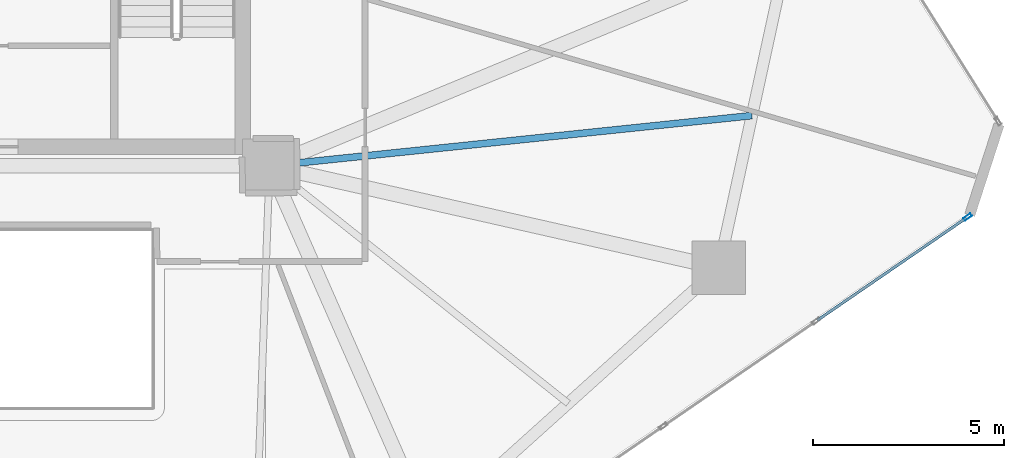
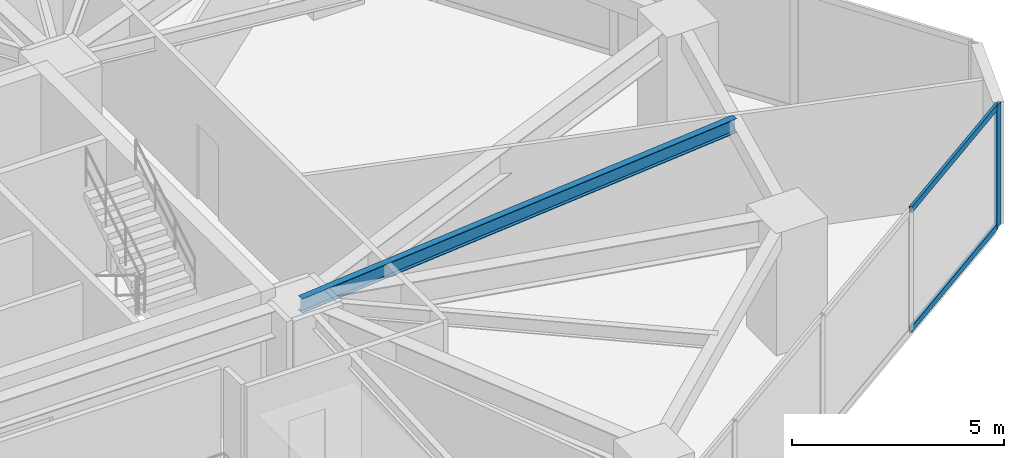
# One storey, part 9 of 21: 3 members, 1 beam, 1 element without a shape of its own.
"""IFC4 building model written with IfcOpenShell, lengths in metres."""

import ifcopenshell
import ifcopenshell.guid

model = None  # the IFC model being written
_history = None  # IfcOwnerHistory: only IFC2X3 demands one
_inside = {}  # id of a spatial element -> (the spatial element, [elements in it])
_under = {}  # id of a project, library or spatial element -> (it, [spatial elements below it])
_declared = {}  # id of a project -> (the project, [libraries it declares])
_typed = {}  # id of a type object -> (the type object, [elements of that type])
_made_of = {}  # id of a material, layer set ... -> (it, [elements and type objects made of it])


def new_model(schema):
    """Start an empty IFC model of exactly this schema.

    Asked for "IFC4X3", IfcOpenShell would pick the latest addendum, in which some entities
    have other attributes; the version numbers below select the first issue.
    IFC2X3 requires an IfcOwnerHistory on every rooted entity: one is made here for all.
    """
    global model, _history
    if schema == "IFC4X3":
        model = ifcopenshell.file(schema_version=(4, 3, 0, 0))
    else:
        model = ifcopenshell.file(schema=schema)
    _inside.clear()
    _under.clear()
    _declared.clear()
    _typed.clear()
    _made_of.clear()
    _history = None
    if model.schema == "IFC2X3":
        org = make("IfcOrganization", Name="unknown")
        user = make(
            "IfcPersonAndOrganization",
            ThePerson=make("IfcPerson", FamilyName="unknown"),
            TheOrganization=org,
        )
        app = make(
            "IfcApplication",
            ApplicationDeveloper=org,
            Version="unknown",
            ApplicationFullName="unknown",
            ApplicationIdentifier="unknown",
        )
        _history = make(
            "IfcOwnerHistory",
            OwningUser=user,
            OwningApplication=app,
            ChangeAction="ADDED",
            CreationDate=0,
        )
    return model


def make(cls, **values):
    """One entity of the class cls with the attributes given. An attribute that is None is left unset."""
    return model.create_entity(
        cls, **{name: value for name, value in values.items() if value is not None}
    )


def rooted(cls, **values):
    """An entity with a GlobalId (a new one), such as an element, a storey or a relation."""
    return make(cls, GlobalId=ifcopenshell.guid.new(), OwnerHistory=_history, **values)


def si_unit(unit_type, name, prefix=None):
    """IfcSIUnit, for example si_unit("LENGTHUNIT", "METRE", prefix="MILLI")."""
    return make("IfcSIUnit", UnitType=unit_type, Prefix=prefix, Name=name)


def assignment(units):
    """IfcUnitAssignment: the units of a project."""
    return None if units is None else make("IfcUnitAssignment", Units=units)


def point(xyz):
    """IfcCartesianPoint."""
    return None if xyz is None else make("IfcCartesianPoint", Coordinates=xyz)


def direction(xyz):
    """IfcDirection."""
    return None if xyz is None else make("IfcDirection", DirectionRatios=xyz)


def frame(location, z_axis=None, x_axis=None):
    """IfcAxis2Placement3D, a coordinate frame: its origin and axes. An axis left out is left unset."""
    return make(
        "IfcAxis2Placement3D",
        Location=point(location),
        Axis=direction(z_axis),
        RefDirection=direction(x_axis),
    )


def frame_2d(location, x_axis=None):
    """IfcAxis2Placement2D, a coordinate frame in the plane: its origin and x axis."""
    return make(
        "IfcAxis2Placement2D", Location=point(location), RefDirection=direction(x_axis)
    )


def origin():
    """The frame at (0, 0, 0) with its axes left unset."""
    return frame((0.0, 0.0, 0.0))


def origin_2d():
    """The frame at (0, 0) in the plane with its x axis left unset."""
    return frame_2d((0.0, 0.0))


def place(relative_to, where):
    """IfcLocalPlacement: puts the frame where relative to a parent placement (None: the world)."""
    return make(
        "IfcLocalPlacement", PlacementRelTo=relative_to, RelativePlacement=where
    )


def context(
    kind, dimensions, precision=None, world=None, true_north=None, identifier=None
):
    """IfcGeometricRepresentationContext, for example the 3D "Model" context."""
    return make(
        "IfcGeometricRepresentationContext",
        ContextIdentifier=identifier,
        ContextType=kind,
        CoordinateSpaceDimension=dimensions,
        Precision=precision,
        WorldCoordinateSystem=world,
        TrueNorth=true_north,
    )


def subcontext(parent, identifier, kind, view, scale=None):
    """IfcGeometricRepresentationSubContext, for example "Body" below "Model"."""
    return make(
        "IfcGeometricRepresentationSubContext",
        ContextIdentifier=identifier,
        ContextType=kind,
        ParentContext=parent,
        TargetScale=scale,
        TargetView=view,
    )


def project(units=None, contexts=None):
    """IfcProject with its units and contexts."""
    return rooted(
        "IfcProject",
        Name="project",
        RepresentationContexts=contexts,
        UnitsInContext=assignment(units),
    )


def spatial(cls, under=None, at=None, **own):
    """A site, building, storey or space (cls), placed at a placement, below another one or the project."""
    s = rooted(cls, ObjectPlacement=at, **own)
    if under is not None:
        _under.setdefault(under.id(), (under, []))[1].append(s)
    return s


def profile(cls, at=None, kind="AREA", **sizes):
    """A parametric profile (cls). Its sizes go by their IFC names, for example OverallWidth=200.0."""
    return make(cls, ProfileType=kind, Position=at, **sizes)


def hollow_rectangle(**sizes):
    """IfcRectangleHollowProfileDef."""
    return profile("IfcRectangleHollowProfileDef", **sizes)


def i_section(**sizes):
    """IfcIShapeProfileDef."""
    return profile("IfcIShapeProfileDef", **sizes)


def extrude(swept, where, along, depth):
    """IfcExtrudedAreaSolid: the profile swept, set in the frame where, extruded along a direction by depth."""
    return make(
        "IfcExtrudedAreaSolid",
        SweptArea=swept,
        Position=where,
        ExtrudedDirection=direction(along),
        Depth=depth,
    )


def shape(context_of_items, identifier, shape_type, items):
    """IfcShapeRepresentation: the items that make up one representation, for example the "Body"."""
    return make(
        "IfcShapeRepresentation",
        ContextOfItems=context_of_items,
        RepresentationIdentifier=identifier,
        RepresentationType=shape_type,
        Items=items,
    )


def source(mapping_origin, context_of_items, identifier, shape_type, items):
    """IfcRepresentationMap: a shape defined once, which mapped items show again and again."""
    return make(
        "IfcRepresentationMap",
        MappingOrigin=mapping_origin,
        MappedRepresentation=shape(context_of_items, identifier, shape_type, items),
    )


def transform(
    local_origin,
    x_axis=None,
    y_axis=None,
    z_axis=None,
    scale=None,
    scale2=None,
    scale3=None,
    uniform=True,
):
    """IfcCartesianTransformationOperator3D, or its non-uniform kind. x_axis, y_axis, z_axis: its Axis1, 2, 3."""
    if uniform:
        return make(
            "IfcCartesianTransformationOperator3D",
            Axis1=direction(x_axis),
            Axis2=direction(y_axis),
            LocalOrigin=point(local_origin),
            Scale=scale,
            Axis3=direction(z_axis),
        )
    return make(
        "IfcCartesianTransformationOperator3DnonUniform",
        Axis1=direction(x_axis),
        Axis2=direction(y_axis),
        LocalOrigin=point(local_origin),
        Scale=scale,
        Axis3=direction(z_axis),
        Scale2=scale2,
        Scale3=scale3,
    )


def mapped(mapping_source, mapping_target):
    """IfcMappedItem: shows the shape of a source again, moved by a transform."""
    return make(
        "IfcMappedItem", MappingSource=mapping_source, MappingTarget=mapping_target
    )


def material(Name=None, Category=None):
    """IfcMaterial."""
    return make("IfcMaterial", Name=Name, Category=Category)


def layer(
    of_material, thickness, ventilated=None, Name=None, Category=None, Priority=None
):
    """IfcMaterialLayer: one layer of a wall or slab, of a material (None: an air gap)."""
    return make(
        "IfcMaterialLayer",
        Material=of_material,
        LayerThickness=thickness,
        IsVentilated=ventilated,
        Name=Name,
        Category=Category,
        Priority=Priority,
    )


def layer_set(layers, Name=None):
    """IfcMaterialLayerSet."""
    return make("IfcMaterialLayerSet", MaterialLayers=layers, LayerSetName=Name)


def material_profile(
    of_material, cross_section, Name=None, Category=None, Priority=None
):
    """IfcMaterialProfile: a cross section and its material."""
    return make(
        "IfcMaterialProfile",
        Name=Name,
        Material=of_material,
        Profile=cross_section,
        Priority=Priority,
        Category=Category,
    )


def profile_set(profiles, Name=None, composite=None):
    """IfcMaterialProfileSet."""
    return make(
        "IfcMaterialProfileSet",
        Name=Name,
        MaterialProfiles=profiles,
        CompositeProfile=composite,
    )


def made_of(thing, what):
    """Note that an element or type object is made of a material, layer set ...; save() writes the relation."""
    if what is not None:
        _made_of.setdefault(what.id(), (what, []))[1].append(thing)
    return thing


def type_object(cls, material=None, **own):
    """A type object (cls), such as IfcWallType, which elements share."""
    return made_of(rooted(cls, **own), material)


def type_shapes(of_type, sources):
    """Give a type object the sources (RepresentationMaps) that its elements show as mapped items."""
    of_type.RepresentationMaps = sources


def element(
    cls,
    number,
    at=None,
    inside=None,
    cuts=None,
    type_object=None,
    material=None,
    context=None,
    identifier="Body",
    shape_type=None,
    held_by="IfcProductDefinitionShape",
    body=None,
    shapes=None,
    **own,
):
    """One element of the class cls, such as IfcWall. Its Tag is "e" and its number.

    at: its placement. inside: the storey or other place that contains it. cuts: it is an
    opening in that element (IfcRelVoidsElement). A single representation is given by context,
    identifier, shape_type and body (its items); several are given by shapes. held_by: the class
    of the entity that holds the representations. save() writes the other relations.
    """
    e = rooted(cls, Tag="e%d" % number, ObjectPlacement=at, **own)
    if body is not None:
        shapes = [shape(context, identifier, shape_type, body)]
    if shapes is not None:
        e.Representation = make(held_by, Representations=shapes)
    if inside is not None:
        _inside.setdefault(inside.id(), (inside, []))[1].append(e)
    if cuts is not None:
        rooted(
            "IfcRelVoidsElement", RelatingBuildingElement=cuts, RelatedOpeningElement=e
        )
    if type_object is not None:
        _typed.setdefault(type_object.id(), (type_object, []))[1].append(e)
    return made_of(e, material)


def aggregate(whole, parts):
    """IfcRelAggregates: a whole, such as a stair, and the parts it consists of."""
    return rooted("IfcRelAggregates", RelatingObject=whole, RelatedObjects=parts)


def save(model, path):
    """Write the relations noted so far, then the file.

    IfcRelAggregates (storeys below a building ...), IfcRelContainedInSpatialStructure (elements
    in a storey), IfcRelDefinesByType, IfcRelAssociatesMaterial and IfcRelDeclares: one each for
    every whole, place, type object, material and project.
    """
    for whole, parts in _under.values():
        aggregate(whole, parts)
    for where, things in _inside.values():
        rooted(
            "IfcRelContainedInSpatialStructure",
            RelatedElements=things,
            RelatingStructure=where,
        )
    for kind, things in _typed.values():
        rooted("IfcRelDefinesByType", RelatedObjects=things, RelatingType=kind)
    for what, things in _made_of.values():
        rooted("IfcRelAssociatesMaterial", RelatedObjects=things, RelatingMaterial=what)
    for by, libraries in _declared.values():
        rooted("IfcRelDeclares", RelatingContext=by, RelatedDefinitions=libraries)
    model.write(path)


model = new_model("IFC4")

# Units and contexts
model_context = context("Model", 3, precision=1e-05, world=origin(), true_north=direction((0.0, 1.0)))
body_context = subcontext(model_context, "Body", "Model", "MODEL_VIEW")
ifc_project = project(units=[si_unit("LENGTHUNIT", "METRE"), si_unit("AREAUNIT", "SQUARE_METRE"), si_unit("VOLUMEUNIT", "CUBIC_METRE"), si_unit("PLANEANGLEUNIT", "RADIAN"), si_unit("MASSUNIT", "GRAM", prefix="KILO")], contexts=[model_context])

# Site, building, storey
site_placement = place(None, origin())
site = spatial("IfcSite", under=ifc_project, at=site_placement, CompositionType="ELEMENT")
building_placement = place(site_placement, origin())
building = spatial("IfcBuilding", under=site, at=building_placement, Name="Talar Marvaseh", CompositionType="ELEMENT")
storey_placement = place(building_placement, frame((0.0, 0.0, 62.0)))
storey = spatial("IfcBuildingStorey", under=building, at=storey_placement, Name="L15", CompositionType="ELEMENT", Elevation=62.0)

# Beam
ifc_material_1 = material(Name="Steel S355", Category="steel")
ifc_material_profile_1 = material_profile(ifc_material_1, i_section(OverallWidth=0.179931640625, OverallDepth=0.4130859375, WebThickness=0.009765625, FlangeThickness=0.01611328125, at=origin_2d()), Name="W410x75")
ifc_profile_set_1 = profile_set([ifc_material_profile_1], Name="Steel S355")
beam_type = type_object("IfcBeamType", Name="Zone 1 Secondary Floor Joist W410x75", PredefinedType="JOIST", material=ifc_profile_set_1)
beam_placement = place(storey_placement, frame((45.906494140625, 26.81396484375, 3.3134765625), z_axis=(-0.994611955975, -0.103668013538, 0.0), x_axis=(0.103668013538, -0.994611955975, 0.0)))
element("IfcBeam", 1, at=beam_placement, inside=storey, type_object=beam_type, Name="L15 Zone 1 Secondary Floor Joist W410x75", PredefinedType="JOIST", context=body_context, shape_type="SweptSolid", body=[
    extrude(i_section(OverallWidth=0.179931640625, OverallDepth=0.4130859375, WebThickness=0.009765625, FlangeThickness=0.01611328125, at=origin_2d()), origin(), (0.0, 0.0, 1.0), 12.6748046875),
])

# Curtain wall, members
ifc_material_2 = material(Name="Architectural Aluminium", Category="aluminium")
ifc_layer = layer(ifc_material_2, 0.219970703125)
ifc_layer_set = layer_set([ifc_layer], Name="Architectural Aluminium")
curtain_wall_type = type_object("IfcCurtainWallType", Name="Unitised Low-E Museum Curtain Wall Z1", PredefinedType="NOTDEFINED", material=ifc_layer_set)
curtain_wall_placement = place(storey_placement, origin())
curtain_wall = element("IfcCurtainWall", 2, at=curtain_wall_placement, inside=storey, type_object=curtain_wall_type, Name="L15 Unitised Low-E Museum Curtain Wall Z1", PredefinedType="NOTDEFINED")
ifc_material_profile_2 = material_profile(ifc_material_2, hollow_rectangle(XDim=0.080078125, YDim=0.219970703125, WallThickness=0.0048828125, at=origin_2d()), Name="RHS220x80x5")
ifc_profile_set_2 = profile_set([ifc_material_profile_2], Name="Architectural Aluminium")
member_type_1 = type_object("IfcMemberType", Name="Unitised Curtain Wall Heavy Mullion RHS220x80x5", PredefinedType="MULLION", material=ifc_profile_set_2)
shared_shape_1 = source(origin(), body_context, "Body", "SweptSolid", [
    extrude(hollow_rectangle(XDim=0.080078125, YDim=0.219970703125, WallThickness=0.0048828125, at=origin_2d()), origin(), (0.0, 0.0, 1.0), 3.52001953125),
])
type_shapes(member_type_1, [shared_shape_1])
member_1_placement = place(storey_placement, frame((51.544677734375, 24.1650390625, 0.0), z_axis=(0.0, 0.0, 1.0), x_axis=(0.566276537013, -0.824215313877, 0.0)))
member_1 = element("IfcMember", 3, at=member_1_placement, type_object=member_type_1, Name="CW-Z1 mullion 1", PredefinedType="MULLION", context=body_context, shape_type="MappedRepresentation", body=[
    mapped(shared_shape_1, transform((0.0, 0.0, 0.0), x_axis=(1.0, 0.0, 0.0), y_axis=(0.0, 1.0, 0.0), z_axis=(0.0, 0.0, 1.0), scale=1.0)),
])
ifc_material_profile_3 = material_profile(ifc_material_2, hollow_rectangle(XDim=0.074951171875, YDim=0.179931640625, WallThickness=0.0048828125, at=origin_2d()), Name="RHS180x75x5")
ifc_profile_set_3 = profile_set([ifc_material_profile_3], Name="Architectural Aluminium")
member_type_2 = type_object("IfcMemberType", Name="Unitised Curtain Wall Transom RHS180x75x5", PredefinedType="USERDEFINED", material=ifc_profile_set_3)
shared_shape_2 = source(origin(), body_context, "Body", "SweptSolid", [
    extrude(hollow_rectangle(XDim=0.074951171875, YDim=0.179931640625, WallThickness=0.0048828125, at=origin_2d()), origin(), (0.0, 0.0, 1.0), 4.725341796875),
])
type_shapes(member_type_2, [shared_shape_2])
member_2_placement = place(storey_placement, frame((51.51171875, 24.142578125, 0.03759765625), z_axis=(-0.824186618789, -0.566318300436, 0.0), x_axis=(0.566318300436, -0.824186618789, 0.0)))
member_2 = element("IfcMember", 4, at=member_2_placement, type_object=member_type_2, Name="CW-Z1 transom 1.1", ObjectType="TRANSOM", PredefinedType="USERDEFINED", context=body_context, shape_type="MappedRepresentation", body=[
    mapped(shared_shape_2, transform((0.0, 0.0, 0.0), x_axis=(1.0, 0.0, 0.0), y_axis=(0.0, 1.0, 0.0), z_axis=(0.0, 0.0, 1.0), scale=1.0)),
])
member_3_placement = place(storey_placement, frame((51.51171875, 24.142578125, 3.482421875), z_axis=(-0.824186618789, -0.566318300436, 0.0), x_axis=(0.566318300436, -0.824186618789, 0.0)))
member_3 = element("IfcMember", 5, at=member_3_placement, type_object=member_type_2, Name="CW-Z1 transom 1.2", ObjectType="TRANSOM", PredefinedType="USERDEFINED", context=body_context, shape_type="MappedRepresentation", body=[
    mapped(shared_shape_2, transform((0.0, 0.0, 0.0), x_axis=(1.0, 0.0, 0.0), y_axis=(0.0, 1.0, 0.0), z_axis=(0.0, 0.0, 1.0), scale=1.0)),
])
aggregate(curtain_wall, [member_1, member_2, member_3])

save(model, "model.ifc")
